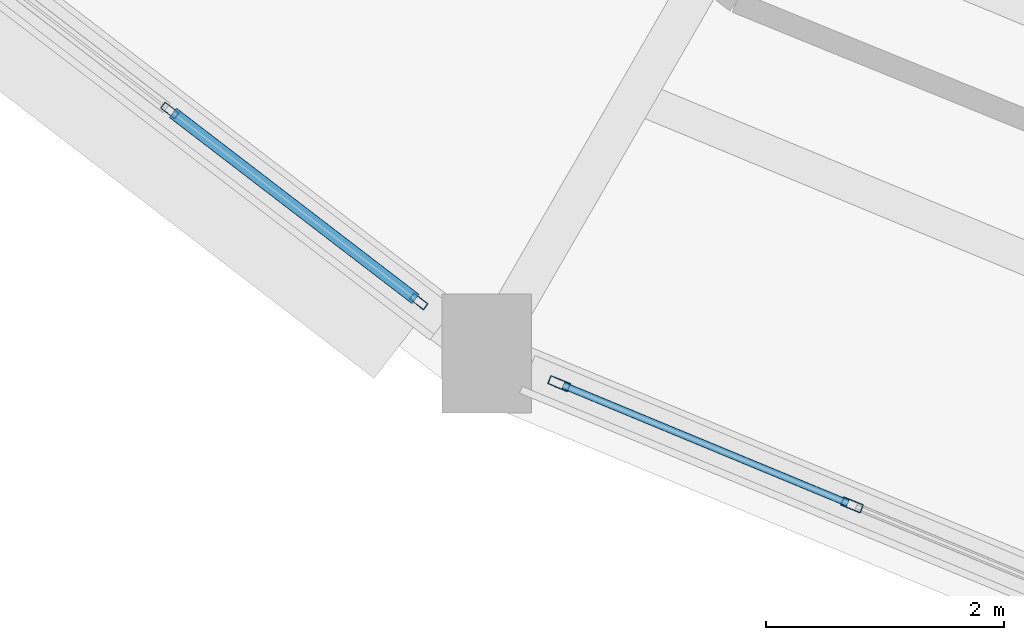
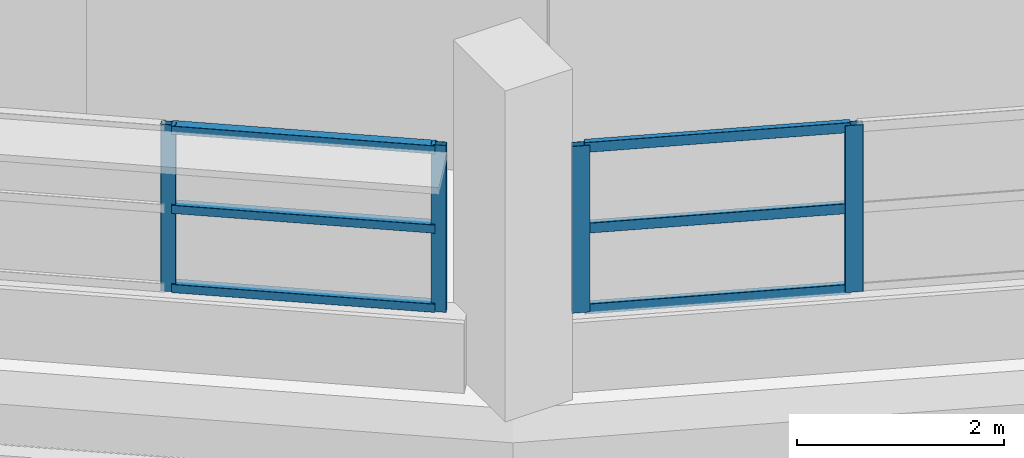
# One storey, part 17 of 108: 10 members, 2 elements without a shape of their own.
"""IFC4 building model written with IfcOpenShell, lengths in metres."""

from ifc_helpers import new_model, si_unit, direction, frame, origin, origin_2d, place, context, subcontext, project, spatial, hollow_rectangle, extrude, material, layer, layer_set, material_profile, profile_set, type_object, element, aggregate, save


model = new_model("IFC4")

# Units and contexts
model_context = context("Model", 3, precision=1e-05, world=origin(), true_north=direction((0.0, 1.0)))
body_context = subcontext(model_context, "Body", "Model", "MODEL_VIEW")
ifc_project = project(units=[si_unit("LENGTHUNIT", "METRE"), si_unit("AREAUNIT", "SQUARE_METRE"), si_unit("VOLUMEUNIT", "CUBIC_METRE"), si_unit("PLANEANGLEUNIT", "RADIAN"), si_unit("MASSUNIT", "GRAM", prefix="KILO")], contexts=[model_context])

# Site, building, storey
site_placement = place(None, origin())
site = spatial("IfcSite", under=ifc_project, at=site_placement, CompositionType="ELEMENT")
building_placement = place(site_placement, origin())
building = spatial("IfcBuilding", under=site, at=building_placement, Name="Vespera Passage Community Centre", CompositionType="ELEMENT")
storey_placement = place(building_placement, frame((0.0, 0.0, 12.60009765625)))
storey = spatial("IfcBuildingStorey", under=building, at=storey_placement, Name="L03", CompositionType="ELEMENT", Elevation=12.60009765625)

# Curtain wall, members
ifc_material_1 = material(Name="Anodized aluminium 6063-T6", Category="aluminium")
ifc_layer_1 = layer(ifc_material_1, 0.159912109375)
ifc_layer_set_1 = layer_set([ifc_layer_1], Name="Anodized aluminium 6063-T6")
curtain_wall_type_1 = type_object("IfcCurtainWallType", Name="CW-37E", PredefinedType="NOTDEFINED", material=ifc_layer_set_1)
curtain_wall_1_placement = place(storey_placement, origin())
curtain_wall_1 = element("IfcCurtainWall", 1, at=curtain_wall_1_placement, inside=storey, type_object=curtain_wall_type_1, Name="V4 L03 Outer Ribbon Curtain Wall 15", PredefinedType="NOTDEFINED")
ifc_material_2 = material(Name="Anodized aluminium 6063-T6", Category="aluminium")
ifc_material_profile_1 = material_profile(ifc_material_2, hollow_rectangle(XDim=0.06494140625, YDim=0.14990234375, WallThickness=0.00390625, InnerFilletRadius=0.001953125, OuterFilletRadius=0.00390625, at=origin_2d()), Name="ALU150X65X4")
ifc_profile_set_1 = profile_set([ifc_material_profile_1], Name="Anodized aluminium 6063-T6")
member_type_1 = type_object("IfcMemberType", Name="MB-CWM-150E", PredefinedType="MULLION", material=ifc_profile_set_1)
member_1_placement = place(storey_placement, frame((54.378662109375, 26.0146484375, 0.81982421875), z_axis=(0.0, 0.0, 1.0), x_axis=(-0.608771824991, -0.793345363065, 0.0)))
member_1 = element("IfcMember", 2, at=member_1_placement, type_object=member_type_1, Name="CW-37E mullion 1", PredefinedType="MULLION", context=body_context, shape_type="SweptSolid", body=[
    extrude(hollow_rectangle(XDim=0.06494140625, YDim=0.14990234375, WallThickness=0.00390625, InnerFilletRadius=0.001953125, OuterFilletRadius=0.00390625, at=origin_2d()), origin(), (0.0, 0.0, 1.0), 1.965576171875),
])
member_2_placement = place(storey_placement, frame((52.290283203125, 27.616943359375, 0.81982421875), z_axis=(0.0, 0.0, 1.0), x_axis=(-0.608771824991, -0.793345363065, 0.0)))
member_2 = element("IfcMember", 3, at=member_2_placement, type_object=member_type_1, Name="CW-37E mullion 2", PredefinedType="MULLION", context=body_context, shape_type="SweptSolid", body=[
    extrude(hollow_rectangle(XDim=0.06494140625, YDim=0.14990234375, WallThickness=0.00390625, InnerFilletRadius=0.001953125, OuterFilletRadius=0.00390625, at=origin_2d()), origin(), (0.0, 0.0, 1.0), 1.965576171875),
])

ifc_material_3 = material(Name="Anodized aluminium 6063-T6", Category="aluminium")
ifc_layer_2 = layer(ifc_material_3, 0.159912109375)
ifc_layer_set_2 = layer_set([ifc_layer_2], Name="Anodized aluminium 6063-T6")
curtain_wall_type_2 = type_object("IfcCurtainWallType", Name="CW-39E", PredefinedType="NOTDEFINED", material=ifc_layer_set_2)
curtain_wall_2_placement = place(storey_placement, origin())
curtain_wall_2 = element("IfcCurtainWall", 4, at=curtain_wall_2_placement, inside=storey, type_object=curtain_wall_type_2, Name="V4 L03 Outer Ribbon Curtain Wall 16", PredefinedType="NOTDEFINED")
ifc_material_4 = material(Name="Anodized aluminium 6063-T6", Category="aluminium")
ifc_material_profile_2 = material_profile(ifc_material_4, hollow_rectangle(XDim=0.074951171875, YDim=0.179931640625, WallThickness=0.0048828125, InnerFilletRadius=0.00244140625, OuterFilletRadius=0.0048828125, at=origin_2d()), Name="ALU180X75X5")
ifc_profile_set_2 = profile_set([ifc_material_profile_2], Name="Anodized aluminium 6063-T6")
member_type_2 = type_object("IfcMemberType", Name="MB-CWM-180E", PredefinedType="MULLION", material=ifc_profile_set_2)
member_3_placement = place(storey_placement, frame((58.016357421875, 24.30615234375, 0.81982421875), z_axis=(0.0, 0.0, 1.0), x_axis=(-0.382682936255, -0.923879738007, 0.0)))
member_3 = element("IfcMember", 5, at=member_3_placement, type_object=member_type_2, Name="CW-39E mullion 4", PredefinedType="MULLION", context=body_context, shape_type="SweptSolid", body=[
    extrude(hollow_rectangle(XDim=0.074951171875, YDim=0.179931640625, WallThickness=0.0048828125, InnerFilletRadius=0.00244140625, OuterFilletRadius=0.0048828125, at=origin_2d()), origin(), (0.0, 0.0, 1.0), 1.965576171875),
])
member_4_placement = place(storey_placement, frame((55.558349609375, 25.32421875, 0.81982421875), z_axis=(0.0, 0.0, 1.0), x_axis=(-0.382682936255, -0.923879738007, 0.0)))
member_4 = element("IfcMember", 6, at=member_4_placement, type_object=member_type_2, Name="CW-39E mullion 5", PredefinedType="MULLION", context=body_context, shape_type="SweptSolid", body=[
    extrude(hollow_rectangle(XDim=0.074951171875, YDim=0.179931640625, WallThickness=0.0048828125, InnerFilletRadius=0.00244140625, OuterFilletRadius=0.0048828125, at=origin_2d()), origin(), (0.0, 0.0, 1.0), 1.965576171875),
])

# Member
ifc_material_5 = material(Name="Anodized aluminium 6063-T6", Category="aluminium")
ifc_material_profile_3 = material_profile(ifc_material_5, hollow_rectangle(XDim=0.10009765625, YDim=0.10009765625, WallThickness=0.00390625, InnerFilletRadius=0.001953125, OuterFilletRadius=0.00390625, at=origin_2d()), Name="ALU100X100X4")
ifc_profile_set_3 = profile_set([ifc_material_profile_3], Name="Anodized aluminium 6063-T6")
member_type_3 = type_object("IfcMemberType", Name="MB-CWT-100E", PredefinedType="USERDEFINED", material=ifc_profile_set_3)
member_5_placement = place(storey_placement, frame((54.352783203125, 26.034423828125, 0.869873046875), z_axis=(-0.793355257183, 0.608758930859, 0.0), x_axis=(-0.608758930859, -0.793355257183, 0.0)))
member_5 = element("IfcMember", 7, at=member_5_placement, type_object=member_type_3, Name="CW-37E transom 1.1", ObjectType="TRANSOM", PredefinedType="USERDEFINED", context=body_context, shape_type="SweptSolid", body=[
    extrude(hollow_rectangle(XDim=0.10009765625, YDim=0.10009765625, WallThickness=0.00390625, InnerFilletRadius=0.001953125, OuterFilletRadius=0.00390625, at=origin_2d()), origin(), (0.0, 0.0, 1.0), 2.567138671875),
])

member_6_placement = place(storey_placement, frame((54.352783203125, 26.034423828125, 1.802734375), z_axis=(-0.793355257183, 0.608758930859, 0.0), x_axis=(-0.608758930859, -0.793355257183, 0.0)))
member_6 = element("IfcMember", 8, at=member_6_placement, type_object=member_type_3, Name="CW-37E transom 1.2", ObjectType="TRANSOM", PredefinedType="USERDEFINED", context=body_context, shape_type="SweptSolid", body=[
    extrude(hollow_rectangle(XDim=0.10009765625, YDim=0.10009765625, WallThickness=0.00390625, InnerFilletRadius=0.001953125, OuterFilletRadius=0.00390625, at=origin_2d()), origin(), (0.0, 0.0, 1.0), 2.567138671875),
])

member_7_placement = place(storey_placement, frame((54.352783203125, 26.034423828125, 2.735595703125), z_axis=(-0.793355257183, 0.608758930859, 0.0), x_axis=(-0.608758930859, -0.793355257183, 0.0)))
member_7 = element("IfcMember", 9, at=member_7_placement, type_object=member_type_3, Name="CW-37E transom 1.3", ObjectType="TRANSOM", PredefinedType="USERDEFINED", context=body_context, shape_type="SweptSolid", body=[
    extrude(hollow_rectangle(XDim=0.10009765625, YDim=0.10009765625, WallThickness=0.00390625, InnerFilletRadius=0.001953125, OuterFilletRadius=0.00390625, at=origin_2d()), origin(), (0.0, 0.0, 1.0), 2.567138671875),
])

aggregate(curtain_wall_1, [member_1, member_2, member_5, member_6, member_7])

ifc_material_6 = material(Name="Anodized aluminium 6063-T6", Category="aluminium")
ifc_material_profile_4 = material_profile(ifc_material_6, hollow_rectangle(XDim=0.06005859375, YDim=0.1201171875, WallThickness=0.00390625, InnerFilletRadius=0.001953125, OuterFilletRadius=0.00390625, at=origin_2d()), Name="ALU120X60X4")
ifc_profile_set_4 = profile_set([ifc_material_profile_4], Name="Anodized aluminium 6063-T6")
member_type_4 = type_object("IfcMemberType", Name="MB-CWT-120E", PredefinedType="USERDEFINED", material=ifc_profile_set_4)
member_8_placement = place(storey_placement, frame((57.981689453125, 24.3203125, 0.849853515625), z_axis=(-0.923882193286, 0.382677008624, 0.0), x_axis=(-0.382677008624, -0.923882193286, 0.0)))
member_8 = element("IfcMember", 10, at=member_8_placement, type_object=member_type_4, Name="CW-39E transom 4.1", ObjectType="TRANSOM", PredefinedType="USERDEFINED", context=body_context, shape_type="SweptSolid", body=[
    extrude(hollow_rectangle(XDim=0.06005859375, YDim=0.1201171875, WallThickness=0.00390625, InnerFilletRadius=0.001953125, OuterFilletRadius=0.00390625, at=origin_2d()), origin(), (0.0, 0.0, 1.0), 2.585693359375),
])

member_9_placement = place(storey_placement, frame((57.981689453125, 24.3203125, 1.802734375), z_axis=(-0.923882193286, 0.382677008624, 0.0), x_axis=(-0.382677008624, -0.923882193286, 0.0)))
member_9 = element("IfcMember", 11, at=member_9_placement, type_object=member_type_4, Name="CW-39E transom 4.2", ObjectType="TRANSOM", PredefinedType="USERDEFINED", context=body_context, shape_type="SweptSolid", body=[
    extrude(hollow_rectangle(XDim=0.06005859375, YDim=0.1201171875, WallThickness=0.00390625, InnerFilletRadius=0.001953125, OuterFilletRadius=0.00390625, at=origin_2d()), origin(), (0.0, 0.0, 1.0), 2.585693359375),
])

member_10_placement = place(storey_placement, frame((57.981689453125, 24.3203125, 2.755615234375), z_axis=(-0.923882193286, 0.382677008624, 0.0), x_axis=(-0.382677008624, -0.923882193286, 0.0)))
member_10 = element("IfcMember", 12, at=member_10_placement, type_object=member_type_4, Name="CW-39E transom 4.3", ObjectType="TRANSOM", PredefinedType="USERDEFINED", context=body_context, shape_type="SweptSolid", body=[
    extrude(hollow_rectangle(XDim=0.06005859375, YDim=0.1201171875, WallThickness=0.00390625, InnerFilletRadius=0.001953125, OuterFilletRadius=0.00390625, at=origin_2d()), origin(), (0.0, 0.0, 1.0), 2.585693359375),
])

aggregate(curtain_wall_2, [member_3, member_4, member_8, member_9, member_10])

save(model, "model.ifc")
